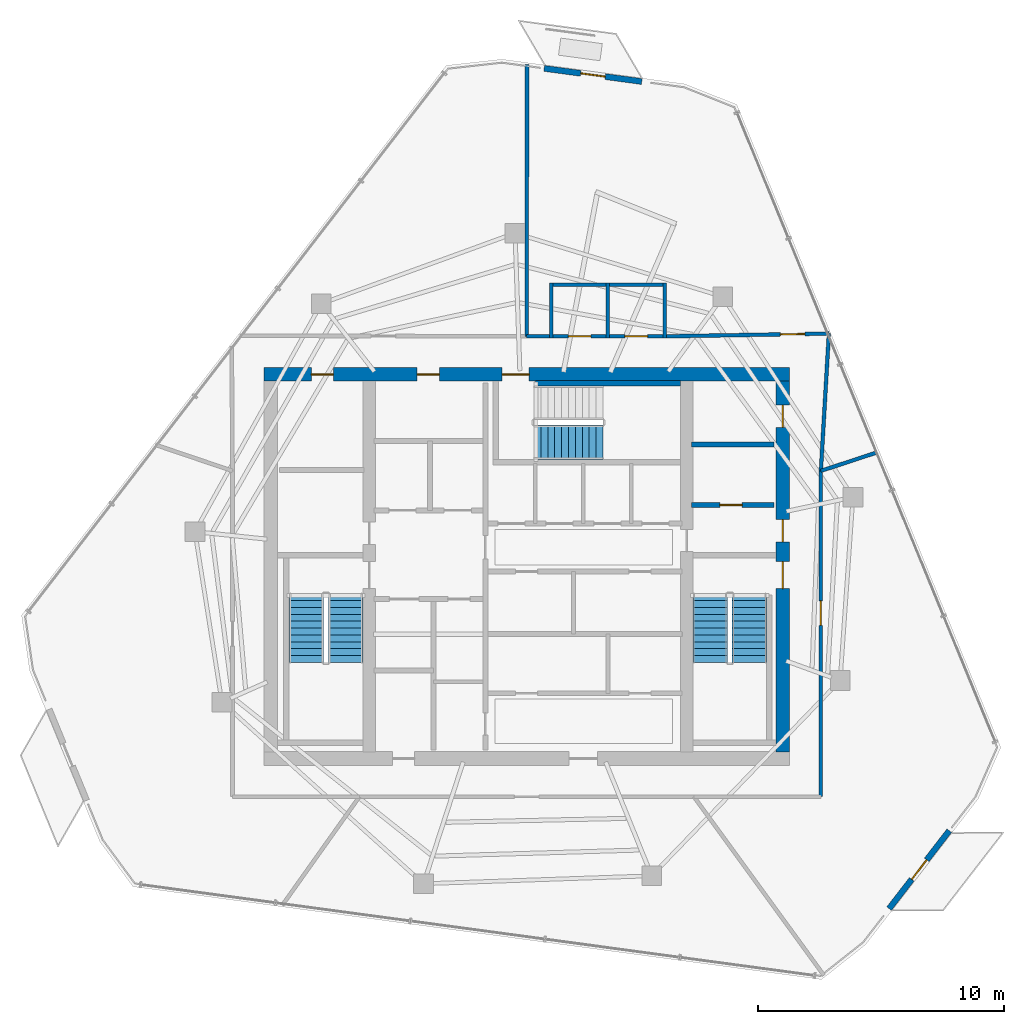
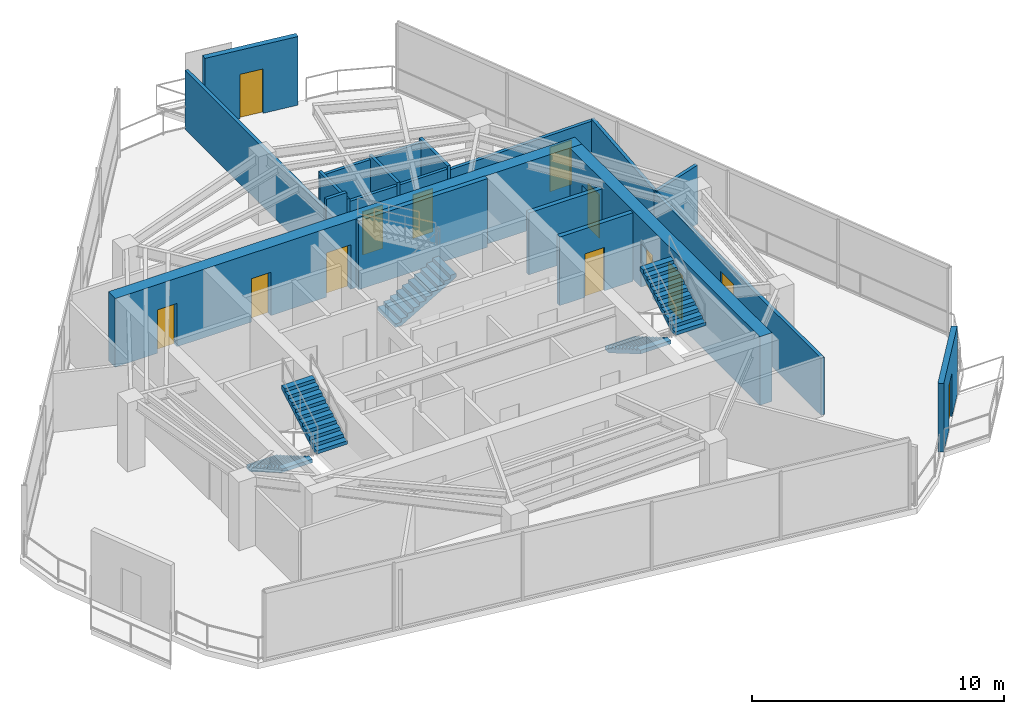
# One storey, part 16 of 19: 20 walls, 13 doors, 5 stair flights, 13 openings, 3 elements without a shape of their own.
"""IFC4 building model written with IfcOpenShell, lengths in metres."""

from ifc_helpers import new_model, si_unit, direction, frame, frame_2d, origin, place, context, subcontext, project, spatial, polyline, rectangle, outline, extrude, material, layer, layer_set, type_object, element, fill, aggregate, save


model = new_model("IFC4")

# Units and contexts
model_context = context("Model", 3, precision=1e-05, world=origin(), true_north=direction((0.0, 1.0)))
body_context = subcontext(model_context, "Body", "Model", "MODEL_VIEW")
ifc_project = project(units=[si_unit("LENGTHUNIT", "METRE"), si_unit("AREAUNIT", "SQUARE_METRE"), si_unit("VOLUMEUNIT", "CUBIC_METRE"), si_unit("PLANEANGLEUNIT", "RADIAN"), si_unit("MASSUNIT", "GRAM", prefix="KILO")], contexts=[model_context])

# Site, building, storey
site_placement = place(None, origin())
site = spatial("IfcSite", under=ifc_project, at=site_placement, CompositionType="ELEMENT")
building_placement = place(site_placement, origin())
building = spatial("IfcBuilding", under=site, at=building_placement, Name="Qarnah Convention Tower", CompositionType="ELEMENT")
storey_placement = place(building_placement, frame((0.0, 0.0, 264.300048828125)))
storey = spatial("IfcBuildingStorey", under=building, at=storey_placement, Name="L71", CompositionType="ELEMENT", Elevation=264.300048828125)

# Wall, openings, doors
ifc_material_1 = material(Name="Concrete C60/75", Category="concrete")
ifc_layer_1 = layer(ifc_material_1, 0.550048828125)
ifc_layer_set_1 = layer_set([ifc_layer_1], Name="Concrete C60/75")
wall_type_1 = type_object("IfcWallType", Name="WL-CORE-550", PredefinedType="SHEAR", material=ifc_layer_set_1)
wall_1_placement = place(storey_placement, frame((26.52490234375, 34.199951171875, 0.0), z_axis=(0.0, 0.0, 1.0), x_axis=(1.0, 0.0, 0.0)))
wall_1 = element("IfcWall", 1, at=wall_1_placement, inside=storey, type_object=wall_type_1, Name="L71 core north shear wall", PredefinedType="SHEAR", context=body_context, shape_type="SweptSolid", body=[
    extrude(rectangle(XDim=21.35009765625, YDim=0.550048828125, at=frame_2d((10.675048828125, 0.0))), origin(), (0.0, 0.0, 1.0), 3.320068359375),
])
opening_1_placement = place(wall_1_placement, frame((9.675048828125, 0.0, 0.0)))
opening_1 = element("IfcOpeningElement", 2, at=opening_1_placement, cuts=wall_1, Name="Opening D-7103", PredefinedType="OPENING", context=body_context, shape_type="SweptSolid", body=[
    extrude(rectangle(XDim=1.10009765625, YDim=2.14990234375, at=frame_2d((0.550048828125, 1.074951171875))), frame((0.0, 0.284912109375, 0.0), z_axis=(0.0, -1.0, 0.0), x_axis=(1.0, 0.0, 0.0)), (0.0, 0.0, 1.0), 0.570068359375),
])
opening_2_placement = place(wall_1_placement, frame((1.925048828125, 0.0, 0.0)))
opening_2 = element("IfcOpeningElement", 3, at=opening_2_placement, cuts=wall_1, Name="Opening D-7109", PredefinedType="OPENING", context=body_context, shape_type="SweptSolid", body=[
    extrude(rectangle(XDim=0.89990234375, YDim=2.10009765625, at=frame_2d((0.449951171875, 1.050048828125))), frame((0.0, 0.284912109375, 0.0), z_axis=(0.0, -1.0, 0.0), x_axis=(1.0, 0.0, 0.0)), (0.0, 0.0, 1.0), 0.570068359375),
])
opening_3_placement = place(wall_1_placement, frame((6.22509765625, 0.0, 0.0)))
opening_3 = element("IfcOpeningElement", 4, at=opening_3_placement, cuts=wall_1, Name="Opening D-7110", PredefinedType="OPENING", context=body_context, shape_type="SweptSolid", body=[
    extrude(rectangle(XDim=0.89990234375, YDim=2.10009765625, at=frame_2d((0.449951171875, 1.050048828125))), frame((0.0, 0.284912109375, 0.0), z_axis=(0.0, -1.0, 0.0), x_axis=(1.0, 0.0, 0.0)), (0.0, 0.0, 1.0), 0.570068359375),
])
ifc_material_2 = material(Name="Structural steel S355JR", Category="steel")
door_type_1 = type_object("IfcDoorType", Name="DT-RISER-900", OperationType="NOTDEFINED", PredefinedType="DOOR", material=ifc_material_2)
door_1_placement = place(opening_2_placement, origin())
door_1 = element("IfcDoor", 5, at=door_1_placement, inside=storey, type_object=door_type_1, Name="Door D-7109", OperationType="SINGLE_SWING_LEFT", OverallHeight=2.10009765625, OverallWidth=0.89990234375, PredefinedType="DOOR", context=body_context, shape_type="SweptSolid", body=[
    extrude(rectangle(XDim=0.89990234375, YDim=2.10009765625, at=frame_2d((0.449951171875, 1.050048828125))), frame((0.0, 0.02490234375, 0.0), z_axis=(0.0, -1.0, 0.0), x_axis=(1.0, 0.0, 0.0)), (0.0, 0.0, 1.0), 0.050048828125),
])
fill(opening_2, door_1)
door_2_placement = place(opening_3_placement, origin())
door_2 = element("IfcDoor", 6, at=door_2_placement, inside=storey, type_object=door_type_1, Name="Door D-7110", OperationType="SINGLE_SWING_RIGHT", OverallHeight=2.10009765625, OverallWidth=0.89990234375, PredefinedType="DOOR", context=body_context, shape_type="SweptSolid", body=[
    extrude(rectangle(XDim=0.89990234375, YDim=2.10009765625, at=frame_2d((0.449951171875, 1.050048828125))), frame((0.0, 0.02490234375, 0.0), z_axis=(0.0, -1.0, 0.0), x_axis=(1.0, 0.0, 0.0)), (0.0, 0.0, 1.0), 0.050048828125),
])
fill(opening_3, door_2)
door_type_2 = type_object("IfcDoorType", Name="DT-STAIR-1100", OperationType="NOTDEFINED", PredefinedType="DOOR", material=ifc_material_2)
door_3_placement = place(opening_1_placement, origin())
door_3 = element("IfcDoor", 7, at=door_3_placement, inside=storey, type_object=door_type_2, Name="Door D-7103", OperationType="SINGLE_SWING_LEFT", OverallHeight=2.14990234375, OverallWidth=1.10009765625, PredefinedType="DOOR", context=body_context, shape_type="SweptSolid", body=[
    extrude(rectangle(XDim=1.10009765625, YDim=2.14990234375, at=frame_2d((0.550048828125, 1.074951171875))), frame((0.0, 0.02490234375, 0.0), z_axis=(0.0, -1.0, 0.0), x_axis=(1.0, 0.0, 0.0)), (0.0, 0.0, 1.0), 0.050048828125),
])
fill(opening_1, door_3)

wall_2_placement = place(storey_placement, frame((47.60009765625, 18.875, 0.0), z_axis=(0.0, 0.0, 1.0), x_axis=(0.0, 1.0, 0.0)))
wall_2 = element("IfcWall", 8, at=wall_2_placement, inside=storey, type_object=wall_type_1, Name="L71 core east shear wall", PredefinedType="SHEAR", context=body_context, shape_type="SweptSolid", body=[
    extrude(rectangle(XDim=15.050048828125, YDim=0.550048828125, at=frame_2d((7.52490234375, 0.0))), origin(), (0.0, 0.0, 1.0), 3.320068359375),
])
opening_4_placement = place(wall_2_placement, frame((6.625, 0.0, 0.0)))
opening_4 = element("IfcOpeningElement", 9, at=opening_4_placement, cuts=wall_2, Name="Opening D-7102", PredefinedType="OPENING", context=body_context, shape_type="SweptSolid", body=[
    extrude(rectangle(XDim=1.10009765625, YDim=2.14990234375, at=frame_2d((0.550048828125, 1.074951171875))), frame((0.0, 0.284912109375, 0.0), z_axis=(0.0, -1.0, 0.0), x_axis=(1.0, 0.0, 0.0)), (0.0, 0.0, 1.0), 0.570068359375),
])
opening_5_placement = place(wall_2_placement, frame((8.52490234375, 0.0, 0.0)))
opening_5 = element("IfcOpeningElement", 10, at=opening_5_placement, cuts=wall_2, Name="Opening D-7106", PredefinedType="OPENING", context=body_context, shape_type="SweptSolid", body=[
    extrude(rectangle(XDim=0.89990234375, YDim=2.10009765625, at=frame_2d((0.449951171875, 1.050048828125))), frame((0.0, 0.284912109375, 0.0), z_axis=(0.0, -1.0, 0.0), x_axis=(1.0, 0.0, 0.0)), (0.0, 0.0, 1.0), 0.570068359375),
])
opening_6_placement = place(wall_2_placement, frame((13.175048828125, 0.0, 0.0)))
opening_6 = element("IfcOpeningElement", 11, at=opening_6_placement, cuts=wall_2, Name="Opening D-7112", PredefinedType="OPENING", context=body_context, shape_type="SweptSolid", body=[
    extrude(rectangle(XDim=0.89990234375, YDim=2.10009765625, at=frame_2d((0.449951171875, 1.050048828125))), frame((0.0, 0.284912109375, 0.0), z_axis=(0.0, -1.0, 0.0), x_axis=(1.0, 0.0, 0.0)), (0.0, 0.0, 1.0), 0.570068359375),
])
door_4_placement = place(opening_5_placement, origin())
door_4 = element("IfcDoor", 12, at=door_4_placement, inside=storey, type_object=door_type_1, Name="Door D-7106", OperationType="SINGLE_SWING_RIGHT", OverallHeight=2.10009765625, OverallWidth=0.89990234375, PredefinedType="DOOR", context=body_context, shape_type="SweptSolid", body=[
    extrude(rectangle(XDim=0.89990234375, YDim=2.10009765625, at=frame_2d((0.449951171875, 1.050048828125))), frame((0.0, 0.02490234375, 0.0), z_axis=(0.0, -1.0, 0.0), x_axis=(1.0, 0.0, 0.0)), (0.0, 0.0, 1.0), 0.050048828125),
])
fill(opening_5, door_4)
door_5_placement = place(opening_6_placement, origin())
door_5 = element("IfcDoor", 13, at=door_5_placement, inside=storey, type_object=door_type_1, Name="Door D-7112", OperationType="SINGLE_SWING_RIGHT", OverallHeight=2.10009765625, OverallWidth=0.89990234375, PredefinedType="DOOR", context=body_context, shape_type="SweptSolid", body=[
    extrude(rectangle(XDim=0.89990234375, YDim=2.10009765625, at=frame_2d((0.449951171875, 1.050048828125))), frame((0.0, 0.02490234375, 0.0), z_axis=(0.0, -1.0, 0.0), x_axis=(1.0, 0.0, 0.0)), (0.0, 0.0, 1.0), 0.050048828125),
])
fill(opening_6, door_5)
door_6_placement = place(opening_4_placement, origin())
door_6 = element("IfcDoor", 14, at=door_6_placement, inside=storey, type_object=door_type_2, Name="Door D-7102", OperationType="SINGLE_SWING_RIGHT", OverallHeight=2.14990234375, OverallWidth=1.10009765625, PredefinedType="DOOR", context=body_context, shape_type="SweptSolid", body=[
    extrude(rectangle(XDim=1.10009765625, YDim=2.14990234375, at=frame_2d((0.550048828125, 1.074951171875))), frame((0.0, 0.02490234375, 0.0), z_axis=(0.0, -1.0, 0.0), x_axis=(1.0, 0.0, 0.0)), (0.0, 0.0, 1.0), 0.050048828125),
])
fill(opening_4, door_6)

# Wall, opening, door
ifc_material_3 = material(Name="Concrete C45/55", Category="concrete")
ifc_layer_2 = layer(ifc_material_3, 0.199951171875)
ifc_layer_set_2 = layer_set([ifc_layer_2], Name="Concrete C45/55")
wall_type_2 = type_object("IfcWallType", Name="WL-CORE-PART-200", PredefinedType="SOLIDWALL", material=ifc_layer_set_2)
wall_3_placement = place(storey_placement, frame((43.89990234375, 28.89990234375, 0.0), z_axis=(0.0, 0.0, 1.0), x_axis=(1.0, 0.0, 0.0)))
wall_3 = element("IfcWall", 15, at=wall_3_placement, inside=storey, type_object=wall_type_2, Name="L71 interior wall IW-L71-EVSTN", PredefinedType="SOLIDWALL", context=body_context, shape_type="SweptSolid", body=[
    extrude(rectangle(XDim=3.35009765625, YDim=0.199951171875, at=frame_2d((1.675048828125, 0.0))), origin(), (0.0, 0.0, 1.0), 3.320068359375),
])
opening_7_placement = place(wall_3_placement, frame((1.14990234375, 0.0, 0.0)))
opening_7 = element("IfcOpeningElement", 16, at=opening_7_placement, cuts=wall_3, Name="Opening D-7111", PredefinedType="OPENING", context=body_context, shape_type="SweptSolid", body=[
    extrude(rectangle(XDim=0.89990234375, YDim=2.10009765625, at=frame_2d((0.449951171875, 1.050048828125))), frame((0.0, 0.10986328125, 0.0), z_axis=(0.0, -1.0, 0.0), x_axis=(1.0, 0.0, 0.0)), (0.0, 0.0, 1.0), 0.219970703125),
])
door_7_placement = place(opening_7_placement, origin())
door_7 = element("IfcDoor", 17, at=door_7_placement, inside=storey, type_object=door_type_1, Name="Door D-7111", OperationType="SINGLE_SWING_LEFT", OverallHeight=2.10009765625, OverallWidth=0.89990234375, PredefinedType="DOOR", context=body_context, shape_type="SweptSolid", body=[
    extrude(rectangle(XDim=0.89990234375, YDim=2.10009765625, at=frame_2d((0.449951171875, 1.050048828125))), frame((0.0, 0.02490234375, 0.0), z_axis=(0.0, -1.0, 0.0), x_axis=(1.0, 0.0, 0.0)), (0.0, 0.0, 1.0), 0.050048828125),
])
fill(opening_7, door_7)

# Walls
wall_4_placement = place(storey_placement, frame((43.89990234375, 31.35009765625, 0.0), z_axis=(0.0, 0.0, 1.0), x_axis=(1.0, 0.0, 0.0)))
element("IfcWall", 18, at=wall_4_placement, inside=storey, type_object=wall_type_2, Name="L71 interior wall IW-L71-WTRN", PredefinedType="SOLIDWALL", context=body_context, shape_type="SweptSolid", body=[
    extrude(rectangle(XDim=3.35009765625, YDim=0.199951171875, at=frame_2d((1.675048828125, 0.0))), origin(), (0.0, 0.0, 1.0), 2.992919921875),
])
ifc_layer_3 = layer(ifc_material_1, 0.219970703125)
ifc_layer_set_3 = layer_set([ifc_layer_3], Name="Concrete C60/75")
wall_type_3 = type_object("IfcWallType", Name="WL-CORE-STAIR-220", PredefinedType="SHEAR", material=ifc_layer_set_3)
wall_5_placement = place(storey_placement, frame((37.550048828125, 33.840087890625, 0.0), z_axis=(0.0, 0.0, 1.0), x_axis=(1.0, 0.0, 0.0)))
element("IfcWall", 19, at=wall_5_placement, inside=storey, type_object=wall_type_3, Name="L71 stair shaft shear wall SW-L71-ST3N", PredefinedType="SHEAR", context=body_context, shape_type="SweptSolid", body=[
    extrude(rectangle(XDim=5.89990234375, YDim=0.219970703125, at=frame_2d((2.949951171875, 0.0))), origin(), (0.0, 0.0, 1.0), 3.320068359375),
])

# Wall, opening, door
ifc_material_4 = material(Name="Precast concrete C45/55", Category="concrete")
ifc_layer_4 = layer(ifc_material_4, 0.239990234375)
ifc_layer_set_4 = layer_set([ifc_layer_4], Name="Precast concrete C45/55")
wall_type_4 = type_object("IfcWallType", Name="WL-EXT-BAL-240", PredefinedType="SOLIDWALL", material=ifc_layer_set_4)
wall_6_placement = place(storey_placement, frame((37.909912109375, 46.633056640625, 0.0), z_axis=(0.0, 0.0, 1.0), x_axis=(0.991050571019, -0.133486949487, 0.0)))
wall_6 = element("IfcWall", 20, at=wall_6_placement, inside=storey, type_object=wall_type_4, Name="L71 loggia threshold wall BAL-L71-C1", PredefinedType="SOLIDWALL", context=body_context, shape_type="SweptSolid", body=[
    extrude(rectangle(XDim=4.0, YDim=0.239990234375, at=frame_2d((2.0, 0.0))), origin(), (0.0, 0.0, 1.0), 3.320068359375),
])
opening_8_placement = place(wall_6_placement, frame((1.5, 0.0, 0.0)))
opening_8 = element("IfcOpeningElement", 21, at=opening_8_placement, cuts=wall_6, Name="Opening BD-7101", PredefinedType="OPENING", context=body_context, shape_type="SweptSolid", body=[
    extrude(rectangle(XDim=1.0, YDim=2.14990234375, at=frame_2d((0.5, 1.074951171875))), frame((0.0, 0.1298828125, 0.0), z_axis=(0.0, -1.0, 0.0), x_axis=(1.0, 0.0, 0.0)), (0.0, 0.0, 1.0), 0.260009765625),
])
ifc_material_5 = material(Name="Black anodised aluminium", Category="aluminium")
door_type_3 = type_object("IfcDoorType", Name="DT-BAL-1000", OperationType="NOTDEFINED", PredefinedType="DOOR", material=ifc_material_5)
door_8_placement = place(opening_8_placement, origin())
door_8 = element("IfcDoor", 22, at=door_8_placement, inside=storey, type_object=door_type_3, Name="L71 balcony terrace door BAL-L71-C1", OperationType="SINGLE_SWING_RIGHT", OverallHeight=2.14990234375, OverallWidth=1.0, PredefinedType="DOOR", context=body_context, shape_type="SweptSolid", body=[
    extrude(rectangle(XDim=1.0, YDim=2.14990234375, at=frame_2d((0.5, 1.074951171875))), frame((0.0, 0.02490234375, 0.0), z_axis=(0.0, -1.0, 0.0), x_axis=(1.0, 0.0, 0.0)), (0.0, 0.0, 1.0), 0.050048828125),
])
fill(opening_8, door_8)

wall_7_placement = place(storey_placement, frame((54.366943359375, 15.66796875, 0.0), z_axis=(0.0, 0.0, 1.0), x_axis=(-0.611190385527, -0.79148361489, 0.0)))
wall_7 = element("IfcWall", 23, at=wall_7_placement, inside=storey, type_object=wall_type_4, Name="L71 loggia threshold wall BAL-L71-C3", PredefinedType="SOLIDWALL", context=body_context, shape_type="SweptSolid", body=[
    extrude(rectangle(XDim=4.0, YDim=0.239990234375, at=frame_2d((2.0, 0.0))), origin(), (0.0, 0.0, 1.0), 3.320068359375),
])
opening_9_placement = place(wall_7_placement, frame((1.5, 0.0, 0.0)))
opening_9 = element("IfcOpeningElement", 24, at=opening_9_placement, cuts=wall_7, Name="Opening BD-7103", PredefinedType="OPENING", context=body_context, shape_type="SweptSolid", body=[
    extrude(rectangle(XDim=1.0, YDim=2.14990234375, at=frame_2d((0.5, 1.074951171875))), frame((0.0, 0.1298828125, 0.0), z_axis=(0.0, -1.0, 0.0), x_axis=(1.0, 0.0, 0.0)), (0.0, 0.0, 1.0), 0.260009765625),
])
door_9_placement = place(opening_9_placement, origin())
door_9 = element("IfcDoor", 25, at=door_9_placement, inside=storey, type_object=door_type_3, Name="L71 balcony terrace door BAL-L71-C3", OperationType="SINGLE_SWING_RIGHT", OverallHeight=2.14990234375, OverallWidth=1.0, PredefinedType="DOOR", context=body_context, shape_type="SweptSolid", body=[
    extrude(rectangle(XDim=1.0, YDim=2.14990234375, at=frame_2d((0.5, 1.074951171875))), frame((0.0, 0.02490234375, 0.0), z_axis=(0.0, -1.0, 0.0), x_axis=(1.0, 0.0, 0.0)), (0.0, 0.0, 1.0), 0.050048828125),
])
fill(opening_9, door_9)

# Walls
ifc_material_6 = material(Name="Gypsum partition board")
ifc_layer_5 = layer(ifc_material_6, 0.14990234375)
ifc_layer_set_5 = layer_set([ifc_layer_5], Name="Gypsum partition board")
wall_type_5 = type_object("IfcWallType", Name="WL-SUITE-150", PredefinedType="PARTITIONING", material=ifc_layer_set_5)
wall_8_placement = place(storey_placement, frame((37.216064453125, 46.7880859375, 0.0), z_axis=(0.0, 0.0, 1.0), x_axis=(-0.001459787881, -0.999998934509, 0.0)))
element("IfcWall", 26, at=wall_8_placement, inside=storey, type_object=wall_type_5, Name="L71 interior wall IW-L71-R-08", PredefinedType="PARTITIONING", context=body_context, shape_type="SweptSolid", body=[
    extrude(rectangle(XDim=11.0380859375, YDim=0.14990234375, at=frame_2d((5.51904296875, 0.0))), origin(), (0.0, 0.0, 1.0), 2.844970703125),
])
wall_9_placement = place(storey_placement, frame((37.199951171875, 35.75, 0.0), z_axis=(0.0, 0.0, 1.0), x_axis=(1.0, 0.0, 0.0)))
element("IfcWall", 27, at=wall_9_placement, inside=storey, type_object=wall_type_5, Name="L71 interior wall IW-L71-R-09", PredefinedType="PARTITIONING", context=body_context, shape_type="SweptSolid", body=[
    extrude(rectangle(XDim=0.929931640625, YDim=0.14990234375, at=frame_2d((0.46484375, 0.0))), origin(), (0.0, 0.0, 1.0), 3.320068359375),
])

# Wall, opening, door
wall_10_placement = place(storey_placement, frame((42.8701171875, 35.75, 0.0), z_axis=(0.0, 0.0, 1.0), x_axis=(0.999858645603, 0.016813352197, 0.0)))
wall_10 = element("IfcWall", 28, at=wall_10_placement, inside=storey, type_object=wall_type_5, Name="L71 interior wall IW-L71-R-10", PredefinedType="PARTITIONING", context=body_context, shape_type="SweptSolid", body=[
    extrude(rectangle(XDim=6.60693359375, YDim=0.14990234375, at=frame_2d((3.303466796875, 0.0))), origin(), (0.0, 0.0, 1.0), 2.76904296875),
])
opening_10_placement = place(wall_10_placement, frame((4.635009765625, 0.0, 0.0)))
opening_10 = element("IfcOpeningElement", 29, at=opening_10_placement, cuts=wall_10, Name="Opening D-7122", PredefinedType="OPENING", context=body_context, shape_type="SweptSolid", body=[
    extrude(rectangle(XDim=1.0, YDim=2.14990234375, at=frame_2d((0.5, 1.074951171875))), frame((0.0, 0.0849609375, 0.0), z_axis=(0.0, -1.0, 0.0), x_axis=(1.0, 0.0, 0.0)), (0.0, 0.0, 1.0), 0.169921875),
])
ifc_material_7 = material(Name="Oak timber veneer", Category="wood")
door_type_4 = type_object("IfcDoorType", Name="DT-OFFICE-1000", OperationType="NOTDEFINED", PredefinedType="DOOR", material=ifc_material_7)
door_10_placement = place(opening_10_placement, origin())
door_10 = element("IfcDoor", 30, at=door_10_placement, inside=storey, type_object=door_type_4, Name="Door D-7122", OperationType="SINGLE_SWING_RIGHT", OverallHeight=2.14990234375, OverallWidth=1.0, PredefinedType="DOOR", context=body_context, shape_type="SweptSolid", body=[
    extrude(rectangle(XDim=1.0, YDim=2.14990234375, at=frame_2d((0.5, 1.074951171875))), frame((0.0, 0.02490234375, 0.0), z_axis=(0.0, -1.0, 0.0), x_axis=(1.0, 0.0, 0.0)), (0.0, 0.0, 1.0), 0.050048828125),
])
fill(opening_10, door_10)

# Walls
wall_11_placement = place(storey_placement, frame((49.47607421875, 35.861083984375, 0.0), z_axis=(0.0, 0.0, 1.0), x_axis=(-0.058373680699, -0.998294802852, 0.0)))
element("IfcWall", 31, at=wall_11_placement, inside=storey, type_object=wall_type_5, Name="L71 interior wall IW-L71-R-11", PredefinedType="PARTITIONING", context=body_context, shape_type="SweptSolid", body=[
    extrude(rectangle(XDim=5.587646484375, YDim=0.14990234375, at=frame_2d((2.7939453125, 0.0))), origin(), (0.0, 0.0, 1.0), 2.844970703125),
])
wall_12_placement = place(storey_placement, frame((49.14990234375, 30.282958984375, 0.0), z_axis=(0.0, 0.0, 1.0), x_axis=(0.94986481315, 0.312660897363, 0.0)))
element("IfcWall", 32, at=wall_12_placement, inside=storey, type_object=wall_type_5, Name="L71 interior wall IW-L71-R-12", PredefinedType="PARTITIONING", context=body_context, shape_type="SweptSolid", body=[
    extrude(rectangle(XDim=2.424560546875, YDim=0.14990234375, at=frame_2d((1.21240234375, 0.0))), origin(), (0.0, 0.0, 1.0), 2.844970703125),
])

# Wall, opening, door
wall_13_placement = place(storey_placement, frame((49.14990234375, 30.282958984375, 0.0), z_axis=(0.0, 0.0, 1.0), x_axis=(0.0, -1.0, 0.0)))
wall_13 = element("IfcWall", 33, at=wall_13_placement, inside=storey, type_object=wall_type_5, Name="L71 interior wall IW-L71-R-21", PredefinedType="PARTITIONING", context=body_context, shape_type="SweptSolid", body=[
    extrude(rectangle(XDim=13.23291015625, YDim=0.14990234375, at=frame_2d((6.616455078125, 0.0))), origin(), (0.0, 0.0, 1.0), 2.76904296875),
])
opening_11_placement = place(wall_13_placement, frame((5.277099609375, 0.0, 0.0)))
opening_11 = element("IfcOpeningElement", 34, at=opening_11_placement, cuts=wall_13, Name="Opening D-7126", PredefinedType="OPENING", context=body_context, shape_type="SweptSolid", body=[
    extrude(rectangle(XDim=1.0, YDim=2.14990234375, at=frame_2d((0.5, 1.074951171875))), frame((0.0, 0.0849609375, 0.0), z_axis=(0.0, -1.0, 0.0), x_axis=(1.0, 0.0, 0.0)), (0.0, 0.0, 1.0), 0.169921875),
])
door_11_placement = place(opening_11_placement, origin())
door_11 = element("IfcDoor", 35, at=door_11_placement, inside=storey, type_object=door_type_4, Name="Door D-7126", OperationType="SINGLE_SWING_RIGHT", OverallHeight=2.14990234375, OverallWidth=1.0, PredefinedType="DOOR", context=body_context, shape_type="SweptSolid", body=[
    extrude(rectangle(XDim=1.0, YDim=2.14990234375, at=frame_2d((0.5, 1.074951171875))), frame((0.0, 0.02490234375, 0.0), z_axis=(0.0, -1.0, 0.0), x_axis=(1.0, 0.0, 0.0)), (0.0, 0.0, 1.0), 0.050048828125),
])
fill(opening_11, door_11)

ifc_layer_6 = layer(ifc_material_6, 0.139892578125)
ifc_layer_set_6 = layer_set([ifc_layer_6], Name="Gypsum partition board")
wall_type_6 = type_object("IfcWallType", Name="WL-WET-140", PredefinedType="PARTITIONING", material=ifc_layer_set_6)
wall_14_placement = place(storey_placement, frame((38.1298828125, 35.75, 0.0), z_axis=(0.0, 0.0, 1.0), x_axis=(1.0, 0.0, 0.0)))
wall_14 = element("IfcWall", 36, at=wall_14_placement, inside=storey, type_object=wall_type_6, Name="L71 interior wall IW-L71-WCM-1", PredefinedType="PARTITIONING", context=body_context, shape_type="SweptSolid", body=[
    extrude(rectangle(XDim=2.440185546875, YDim=0.139892578125, at=frame_2d((1.22021484375, 0.0))), origin(), (0.0, 0.0, 1.0), 2.841064453125),
])
opening_12_placement = place(wall_14_placement, frame((0.760009765625, 0.0, 0.0)))
opening_12 = element("IfcOpeningElement", 37, at=opening_12_placement, cuts=wall_14, Name="Opening D-7120", PredefinedType="OPENING", context=body_context, shape_type="SweptSolid", body=[
    extrude(rectangle(XDim=0.919921875, YDim=2.10009765625, at=frame_2d((0.4599609375, 1.050048828125))), frame((0.0, 0.079833984375, 0.0), z_axis=(0.0, -1.0, 0.0), x_axis=(1.0, 0.0, 0.0)), (0.0, 0.0, 1.0), 0.159912109375),
])
door_type_5 = type_object("IfcDoorType", Name="DT-WC-920", OperationType="NOTDEFINED", PredefinedType="DOOR", material=ifc_material_7)
door_12_placement = place(opening_12_placement, origin())
door_12 = element("IfcDoor", 38, at=door_12_placement, inside=storey, type_object=door_type_5, Name="Door D-7120", OperationType="SINGLE_SWING_RIGHT", OverallHeight=2.10009765625, OverallWidth=0.919921875, PredefinedType="DOOR", context=body_context, shape_type="SweptSolid", body=[
    extrude(rectangle(XDim=0.919921875, YDim=2.10009765625, at=frame_2d((0.4599609375, 1.050048828125))), frame((0.0, 0.02490234375, 0.0), z_axis=(0.0, -1.0, 0.0), x_axis=(1.0, 0.0, 0.0)), (0.0, 0.0, 1.0), 0.050048828125),
])
fill(opening_12, door_12)

# Walls
wall_15_placement = place(storey_placement, frame((40.5, 35.679931640625, 0.0), z_axis=(0.0, 0.0, 1.0), x_axis=(0.0, 1.0, 0.0)))
element("IfcWall", 39, at=wall_15_placement, inside=storey, type_object=wall_type_6, Name="L71 interior wall IW-L71-WCM-2", PredefinedType="PARTITIONING", context=body_context, shape_type="SweptSolid", body=[
    extrude(rectangle(XDim=2.239990234375, YDim=0.139892578125, at=frame_2d((1.1201171875, 0.0))), origin(), (0.0, 0.0, 1.0), 2.992919921875),
])
wall_16_placement = place(storey_placement, frame((40.570068359375, 37.85009765625, 0.0), z_axis=(0.0, 0.0, 1.0), x_axis=(-1.0, 0.0, 0.0)))
element("IfcWall", 40, at=wall_16_placement, inside=storey, type_object=wall_type_6, Name="L71 interior wall IW-L71-WCM-3", PredefinedType="PARTITIONING", context=body_context, shape_type="SweptSolid", body=[
    extrude(rectangle(XDim=2.440185546875, YDim=0.139892578125, at=frame_2d((1.22021484375, 0.0))), origin(), (0.0, 0.0, 1.0), 2.841064453125),
])
wall_17_placement = place(storey_placement, frame((38.199951171875, 37.919921875, 0.0), z_axis=(0.0, 0.0, 1.0), x_axis=(0.0, -1.0, 0.0)))
element("IfcWall", 41, at=wall_17_placement, inside=storey, type_object=wall_type_6, Name="L71 interior wall IW-L71-WCM-4", PredefinedType="PARTITIONING", context=body_context, shape_type="SweptSolid", body=[
    extrude(rectangle(XDim=2.239990234375, YDim=0.139892578125, at=frame_2d((1.1201171875, 0.0))), origin(), (0.0, 0.0, 1.0), 2.992919921875),
])

# Wall, opening, door
wall_18_placement = place(storey_placement, frame((40.429931640625, 35.75, 0.0), z_axis=(0.0, 0.0, 1.0), x_axis=(1.0, 0.0, 0.0)))
wall_18 = element("IfcWall", 42, at=wall_18_placement, inside=storey, type_object=wall_type_6, Name="L71 interior wall IW-L71-WCF-1", PredefinedType="PARTITIONING", context=body_context, shape_type="SweptSolid", body=[
    extrude(rectangle(XDim=2.440185546875, YDim=0.139892578125, at=frame_2d((1.22021484375, 0.0))), origin(), (0.0, 0.0, 1.0), 2.841064453125),
])
opening_13_placement = place(wall_18_placement, frame((0.760009765625, 0.0, 0.0)))
opening_13 = element("IfcOpeningElement", 43, at=opening_13_placement, cuts=wall_18, Name="Opening D-7121", PredefinedType="OPENING", context=body_context, shape_type="SweptSolid", body=[
    extrude(rectangle(XDim=0.919921875, YDim=2.10009765625, at=frame_2d((0.4599609375, 1.050048828125))), frame((0.0, 0.079833984375, 0.0), z_axis=(0.0, -1.0, 0.0), x_axis=(1.0, 0.0, 0.0)), (0.0, 0.0, 1.0), 0.159912109375),
])
door_13_placement = place(opening_13_placement, origin())
door_13 = element("IfcDoor", 44, at=door_13_placement, inside=storey, type_object=door_type_5, Name="Door D-7121", OperationType="SINGLE_SWING_LEFT", OverallHeight=2.10009765625, OverallWidth=0.919921875, PredefinedType="DOOR", context=body_context, shape_type="SweptSolid", body=[
    extrude(rectangle(XDim=0.919921875, YDim=2.10009765625, at=frame_2d((0.4599609375, 1.050048828125))), frame((0.0, 0.02490234375, 0.0), z_axis=(0.0, -1.0, 0.0), x_axis=(1.0, 0.0, 0.0)), (0.0, 0.0, 1.0), 0.050048828125),
])
fill(opening_13, door_13)

# Walls
wall_19_placement = place(storey_placement, frame((42.800048828125, 35.679931640625, 0.0), z_axis=(0.0, 0.0, 1.0), x_axis=(0.0, 1.0, 0.0)))
element("IfcWall", 45, at=wall_19_placement, inside=storey, type_object=wall_type_6, Name="L71 interior wall IW-L71-WCF-2", PredefinedType="PARTITIONING", context=body_context, shape_type="SweptSolid", body=[
    extrude(rectangle(XDim=2.239990234375, YDim=0.139892578125, at=frame_2d((1.1201171875, 0.0))), origin(), (0.0, 0.0, 1.0), 2.992919921875),
])
wall_20_placement = place(storey_placement, frame((42.8701171875, 37.85009765625, 0.0), z_axis=(0.0, 0.0, 1.0), x_axis=(-1.0, 0.0, 0.0)))
element("IfcWall", 46, at=wall_20_placement, inside=storey, type_object=wall_type_6, Name="L71 interior wall IW-L71-WCF-3", PredefinedType="PARTITIONING", context=body_context, shape_type="SweptSolid", body=[
    extrude(rectangle(XDim=2.440185546875, YDim=0.139892578125, at=frame_2d((1.22021484375, 0.0))), origin(), (0.0, 0.0, 1.0), 2.841064453125),
])

# Stair, stair flights
ifc_material_8 = material(Name="Concrete C50/60", Category="concrete")
stair_type = type_object("IfcStairType", Name="STR-OFF", PredefinedType="HALF_TURN_STAIR", material=ifc_material_8)
stair_1_placement = place(storey_placement, origin())
stair_1 = element("IfcStair", 47, at=stair_1_placement, inside=storey, type_object=stair_type, Name="L71 Core exit stair ST-1", PredefinedType="HALF_TURN_STAIR")
stair_flight_type = type_object("IfcStairFlightType", Name="FLT-OFF", PredefinedType="STRAIGHT", material=ifc_material_8)
stair_flight_1_placement = place(storey_placement, frame((28.25, 25.300048828125, 0.0), z_axis=(0.0, 0.0, 1.0), x_axis=(0.0, -1.0, 0.0)))
stair_flight_1 = element("IfcStairFlight", 48, at=stair_flight_1_placement, type_object=stair_flight_type, Name="ST-1 flight 1", NumberOfRisers=11, NumberOfTreads=10, PredefinedType="STRAIGHT", RiserHeight=0.163636364, TreadLength=0.28, context=body_context, shape_type="SweptSolid", body=[
    extrude(outline(polyline([(0.0, 0.0), (0.0, 0.16357421875), (0.280029296875, 0.16357421875), (0.280029296875, 0.327392578125), (0.56005859375, 0.327392578125), (0.56005859375, 0.490966796875), (0.840087890625, 0.490966796875), (0.840087890625, 0.654541015625), (1.1201171875, 0.654541015625), (1.1201171875, 0.818115234375), (1.39990234375, 0.818115234375), (1.39990234375, 0.98193359375), (1.679931640625, 0.98193359375), (1.679931640625, 1.1455078125), (1.9599609375, 1.1455078125), (1.9599609375, 1.30908203125), (2.239990234375, 1.30908203125), (2.239990234375, 1.47265625), (2.52001953125, 1.47265625), (2.52001953125, 1.636474609375), (2.800048828125, 1.636474609375), (2.800048828125, 1.800048828125), (2.800048828125, 1.462646484375), (0.297119140625, 0.0), (0.0, 0.0)])), frame((0.0, 0.699951171875, 0.0), z_axis=(0.0, -1.0, 0.0), x_axis=(1.0, 0.0, 0.0)), (0.0, 0.0, 1.0), 1.39990234375),
])
stair_flight_2_placement = place(storey_placement, frame((29.85009765625, 22.5, 1.800048828125), z_axis=(0.0, 0.0, 1.0), x_axis=(0.0, 1.0, 0.0)))
stair_flight_2 = element("IfcStairFlight", 49, at=stair_flight_2_placement, type_object=stair_flight_type, Name="ST-1 flight 2", NumberOfRisers=11, NumberOfTreads=10, PredefinedType="STRAIGHT", RiserHeight=0.163636364, TreadLength=0.28, context=body_context, shape_type="SweptSolid", body=[
    extrude(outline(polyline([(0.0, 0.0), (0.0, 0.16357421875), (0.280029296875, 0.16357421875), (0.280029296875, 0.327392578125), (0.56005859375, 0.327392578125), (0.56005859375, 0.490966796875), (0.840087890625, 0.490966796875), (0.840087890625, 0.654541015625), (1.1201171875, 0.654541015625), (1.1201171875, 0.818115234375), (1.39990234375, 0.818115234375), (1.39990234375, 0.98193359375), (1.679931640625, 0.98193359375), (1.679931640625, 1.1455078125), (1.9599609375, 1.1455078125), (1.9599609375, 1.30908203125), (2.239990234375, 1.30908203125), (2.239990234375, 1.47265625), (2.52001953125, 1.47265625), (2.52001953125, 1.636474609375), (2.800048828125, 1.636474609375), (2.800048828125, 1.800048828125), (2.800048828125, 1.462646484375), (0.297119140625, 0.0), (0.0, 0.0)])), frame((0.0, 0.699951171875, 0.0), z_axis=(0.0, -1.0, 0.0), x_axis=(1.0, 0.0, 0.0)), (0.0, 0.0, 1.0), 1.39990234375),
])
aggregate(stair_1, [stair_flight_1, stair_flight_2])

stair_2_placement = place(storey_placement, origin())
stair_2 = element("IfcStair", 50, at=stair_2_placement, inside=storey, type_object=stair_type, Name="L71 Core exit stair ST-2", PredefinedType="HALF_TURN_STAIR")
stair_flight_3_placement = place(storey_placement, frame((44.64990234375, 25.300048828125, 0.0), z_axis=(0.0, 0.0, 1.0), x_axis=(0.0, -1.0, 0.0)))
stair_flight_3 = element("IfcStairFlight", 51, at=stair_flight_3_placement, type_object=stair_flight_type, Name="ST-2 flight 1", NumberOfRisers=11, NumberOfTreads=10, PredefinedType="STRAIGHT", RiserHeight=0.163636364, TreadLength=0.28, context=body_context, shape_type="SweptSolid", body=[
    extrude(outline(polyline([(0.0, 0.0), (0.0, 0.16357421875), (0.280029296875, 0.16357421875), (0.280029296875, 0.327392578125), (0.56005859375, 0.327392578125), (0.56005859375, 0.490966796875), (0.840087890625, 0.490966796875), (0.840087890625, 0.654541015625), (1.1201171875, 0.654541015625), (1.1201171875, 0.818115234375), (1.39990234375, 0.818115234375), (1.39990234375, 0.98193359375), (1.679931640625, 0.98193359375), (1.679931640625, 1.1455078125), (1.9599609375, 1.1455078125), (1.9599609375, 1.30908203125), (2.239990234375, 1.30908203125), (2.239990234375, 1.47265625), (2.52001953125, 1.47265625), (2.52001953125, 1.636474609375), (2.800048828125, 1.636474609375), (2.800048828125, 1.800048828125), (2.800048828125, 1.462646484375), (0.297119140625, 0.0), (0.0, 0.0)])), frame((0.0, 0.699951171875, 0.0), z_axis=(0.0, -1.0, 0.0), x_axis=(1.0, 0.0, 0.0)), (0.0, 0.0, 1.0), 1.39990234375),
])
stair_flight_4_placement = place(storey_placement, frame((46.25, 22.5, 1.800048828125), z_axis=(0.0, 0.0, 1.0), x_axis=(0.0, 1.0, 0.0)))
stair_flight_4 = element("IfcStairFlight", 52, at=stair_flight_4_placement, type_object=stair_flight_type, Name="ST-2 flight 2", NumberOfRisers=11, NumberOfTreads=10, PredefinedType="STRAIGHT", RiserHeight=0.163636364, TreadLength=0.28, context=body_context, shape_type="SweptSolid", body=[
    extrude(outline(polyline([(0.0, 0.0), (0.0, 0.16357421875), (0.280029296875, 0.16357421875), (0.280029296875, 0.327392578125), (0.56005859375, 0.327392578125), (0.56005859375, 0.490966796875), (0.840087890625, 0.490966796875), (0.840087890625, 0.654541015625), (1.1201171875, 0.654541015625), (1.1201171875, 0.818115234375), (1.39990234375, 0.818115234375), (1.39990234375, 0.98193359375), (1.679931640625, 0.98193359375), (1.679931640625, 1.1455078125), (1.9599609375, 1.1455078125), (1.9599609375, 1.30908203125), (2.239990234375, 1.30908203125), (2.239990234375, 1.47265625), (2.52001953125, 1.47265625), (2.52001953125, 1.636474609375), (2.800048828125, 1.636474609375), (2.800048828125, 1.800048828125), (2.800048828125, 1.462646484375), (0.297119140625, 0.0), (0.0, 0.0)])), frame((0.0, 0.699951171875, 0.0), z_axis=(0.0, -1.0, 0.0), x_axis=(1.0, 0.0, 0.0)), (0.0, 0.0, 1.0), 1.39990234375),
])
aggregate(stair_2, [stair_flight_3, stair_flight_4])

# Stair, stair flight
stair_3_placement = place(storey_placement, origin())
stair_3 = element("IfcStair", 53, at=stair_3_placement, inside=storey, type_object=stair_type, Name="L71 Core exit stair ST-3", PredefinedType="HALF_TURN_STAIR")
stair_flight_5_placement = place(storey_placement, frame((37.5, 31.449951171875, 0.0), z_axis=(0.0, 0.0, 1.0), x_axis=(1.0, 0.0, 0.0)))
stair_flight_5 = element("IfcStairFlight", 54, at=stair_flight_5_placement, type_object=stair_flight_type, Name="ST-3 flight 1", NumberOfRisers=11, NumberOfTreads=10, PredefinedType="STRAIGHT", RiserHeight=0.163636364, TreadLength=0.28, context=body_context, shape_type="SweptSolid", body=[
    extrude(outline(polyline([(0.0, 0.0), (0.0, 0.16357421875), (0.280029296875, 0.16357421875), (0.280029296875, 0.327392578125), (0.56005859375, 0.327392578125), (0.56005859375, 0.490966796875), (0.840087890625, 0.490966796875), (0.840087890625, 0.654541015625), (1.1201171875, 0.654541015625), (1.1201171875, 0.818115234375), (1.39990234375, 0.818115234375), (1.39990234375, 0.98193359375), (1.679931640625, 0.98193359375), (1.679931640625, 1.1455078125), (1.9599609375, 1.1455078125), (1.9599609375, 1.30908203125), (2.239990234375, 1.30908203125), (2.239990234375, 1.47265625), (2.52001953125, 1.47265625), (2.52001953125, 1.636474609375), (2.800048828125, 1.636474609375), (2.800048828125, 1.800048828125), (2.800048828125, 1.462646484375), (0.297119140625, 0.0), (0.0, 0.0)])), frame((0.0, 0.699951171875, 0.0), z_axis=(0.0, -1.0, 0.0), x_axis=(1.0, 0.0, 0.0)), (0.0, 0.0, 1.0), 1.39990234375),
])
aggregate(stair_3, [stair_flight_5])

save(model, "model.ifc")
